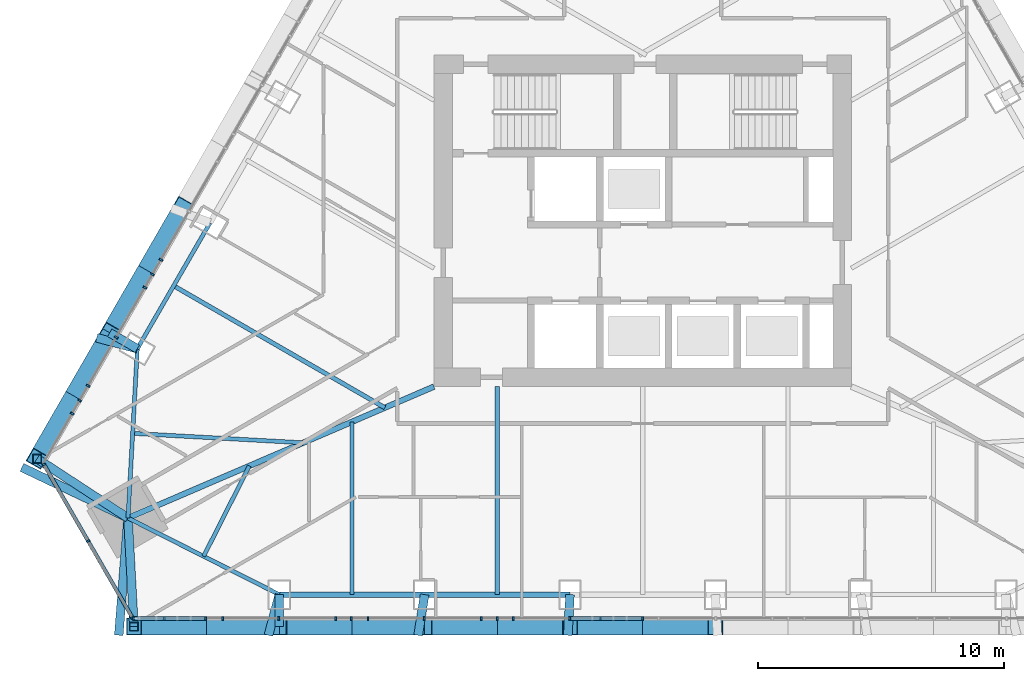
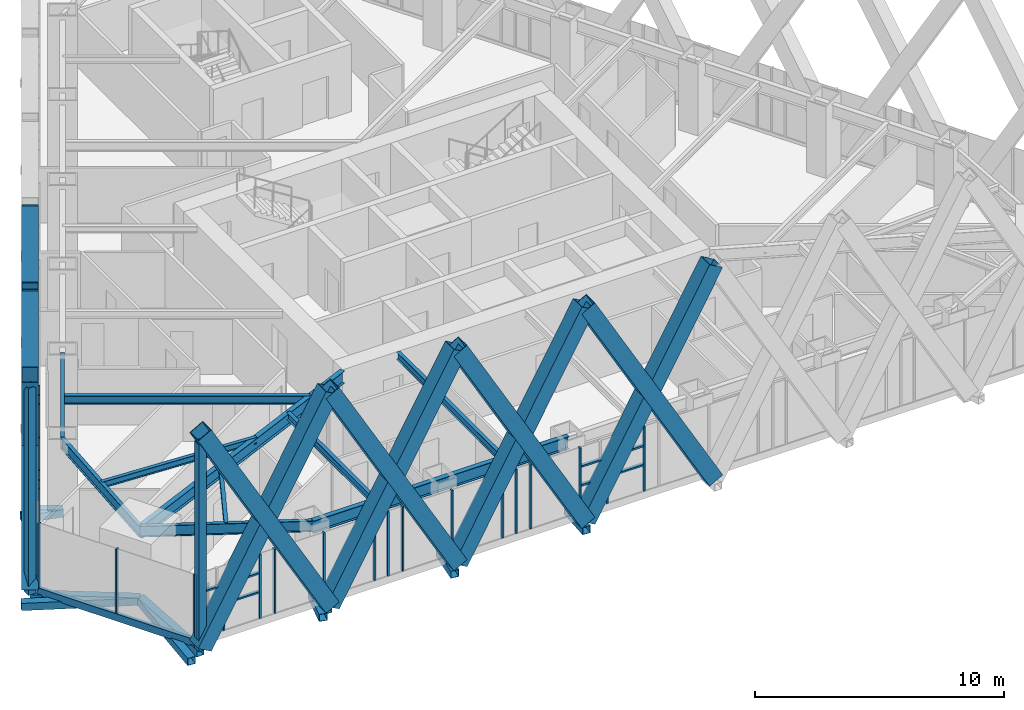
# One storey, part 2 of 23: 54 members, 10 beams, 3 elements without a shape of their own.
"""IFC4 building model written with IfcOpenShell, lengths in metres."""

from ifc_helpers import new_model, si_unit, direction, frame, origin, origin_2d, place, context, subcontext, project, spatial, rectangle, hollow_rectangle, i_section, extrude, material, layer, layer_set, material_profile, profile_set, type_object, element, aggregate, save


model = new_model("IFC4")

# Units and contexts
model_context = context("Model", 3, precision=1e-05, world=origin(), true_north=direction((0.0, 1.0)))
body_context = subcontext(model_context, "Body", "Model", "MODEL_VIEW")
ifc_project = project(units=[si_unit("LENGTHUNIT", "METRE"), si_unit("AREAUNIT", "SQUARE_METRE"), si_unit("VOLUMEUNIT", "CUBIC_METRE"), si_unit("PLANEANGLEUNIT", "RADIAN"), si_unit("MASSUNIT", "GRAM", prefix="KILO")], contexts=[model_context])

# Site, building, storey
site_placement = place(None, origin())
site = spatial("IfcSite", under=ifc_project, at=site_placement, CompositionType="ELEMENT")
building_placement = place(site_placement, origin())
building = spatial("IfcBuilding", under=site, at=building_placement, Name="Firuza Gate Tower and Library", CompositionType="ELEMENT")
storey_placement = place(building_placement, frame((0.0, 0.0, 312.60009765625)))
storey = spatial("IfcBuildingStorey", under=building, at=storey_placement, Name="L76", CompositionType="ELEMENT", Elevation=312.60009765625)

# Members
ifc_material_1 = material(Name="Steel S355", Category="steel")
ifc_material_profile_1 = material_profile(ifc_material_1, hollow_rectangle(XDim=0.699951171875, YDim=0.699951171875, WallThickness=0.030029296875, at=origin_2d()))
ifc_profile_set_1 = profile_set([ifc_material_profile_1], Name="Steel S355")
member_type_1 = type_object("IfcMemberType", Name="BU700x700x30 Lattice brace", PredefinedType="BRACE", material=ifc_profile_set_1)
for number, where, z_axis, x_axis, name in (
    (1, (54.280029296875, 58.48046875, 0.0), (0.491122612788, 0.0, 0.871090454091), (0.0, 1.0, 0.0), "Lattice brace S 20.1R"),
    (2, (60.199951171875, 58.48046875, 0.0), (-0.491122612788, 0.0, 0.871090454091), (0.0, -1.0, 0.0), "Lattice brace S 20.1L"),
    (3, (60.199951171875, 58.48046875, 0.0), (0.491137981379, 0.0, 0.871081789069), (0.0, 1.0, 0.0), "Lattice brace S 20.2R"),
    (4, (66.1201171875, 58.48046875, 0.0), (-0.491137981379, 0.0, 0.871081789069), (0.0, -1.0, 0.0), "Lattice brace S 20.2L"),
    (5, (66.1201171875, 58.48046875, 0.0), (0.491122612788, 0.0, 0.871090454091), (0.0, 1.0, 0.0), "Lattice brace S 20.3R"),
    (6, (72.0400390625, 58.48046875, 0.0), (-0.491122612788, 0.0, 0.871090454091), (0.0, -1.0, 0.0), "Lattice brace S 20.3L"),
    (7, (72.0400390625, 58.48046875, 0.0), (0.491122612788, 0.0, 0.871090454091), (0.0, 1.0, 0.0), "Lattice brace S 20.4R"),
    (8, (77.9599609375, 58.48046875, 0.0), (-0.491122612788, 0.0, 0.871090454091), (0.0, -1.0, 0.0), "Lattice brace S 20.4L"),
    (9, (56.253662109375, 75.569580078125, 0.0), (-0.245560003274, -0.42533487865, 0.871085831475), (0.866031754707, -0.499988999718, 0.0), "Lattice brace W 20.6R"),
    (10, (53.293701171875, 70.442626953125, 0.0), (0.245560003274, 0.42533487865, 0.871085831475), (-0.866031754707, 0.499988999718, 0.0), "Lattice brace W 20.6L"),
    (11, (53.293701171875, 70.442626953125, 0.0), (-0.245579035861, -0.42533276314, 0.871081498911), (0.866013897511, -0.50001992892, 0.0), "Lattice brace W 20.7R"),
    (12, (50.33349609375, 65.315673828125, 0.0), (0.245579035861, 0.42533276314, 0.871081498911), (-0.866013897511, 0.50001992892, 0.0), "Lattice brace W 20.7L"),
):
    element("IfcMember", number, at=place(storey_placement, frame(where, z_axis=z_axis, x_axis=x_axis)), inside=storey, type_object=member_type_1, Name=name, PredefinedType="BRACE", context=body_context, shape_type="SweptSolid", body=[
        extrude(hollow_rectangle(XDim=0.699951171875, YDim=0.699951171875, WallThickness=0.030029296875, at=origin_2d()), origin(), (0.0, 0.0, 1.0), 12.053955078125),
    ])

# Curtain wall, members
ifc_material_2 = material(Name="Aluminium 6063-T6", Category="aluminium")
ifc_layer_1 = layer(ifc_material_2, 0.14990234375)
ifc_layer_set_1 = layer_set([ifc_layer_1], Name="Unitised curtain wall, residences")
curtain_wall_type_1 = type_object("IfcCurtainWallType", Name="Unitised curtain wall, residences", PredefinedType="NOTDEFINED", material=ifc_layer_set_1)
placement = place(storey_placement, origin())
curtain_wall_1 = element("IfcCurtainWall", 13, at=placement, inside=storey, type_object=curtain_wall_type_1, Name="CW3 L76 S face", PredefinedType="NOTDEFINED")
ifc_material_3 = material(Name="Aluminium 6063-T6", Category="aluminium")
ifc_material_profile_2 = material_profile(ifc_material_3, rectangle(XDim=0.14990234375, YDim=0.080078125, at=origin_2d()))
ifc_profile_set_2 = profile_set([ifc_material_profile_2], Name="Aluminium 6063-T6")
member_type_2 = type_object("IfcMemberType", Name="Curtain wall mullion 80x150", PredefinedType="MULLION", material=ifc_profile_set_2)
member_1_placement = place(storey_placement, frame((54.276611328125, 58.805419921875, 0.14990234375), z_axis=(0.0, 0.0, 1.0), x_axis=(0.0, 1.0, 0.0)))
member_1 = element("IfcMember", 14, at=member_1_placement, type_object=member_type_2, Name="Mullion", PredefinedType="MULLION", context=body_context, shape_type="SweptSolid", body=[
    extrude(rectangle(XDim=0.14990234375, YDim=0.080078125, at=origin_2d()), origin(), (0.0, 0.0, 1.0), 3.14990234375),
])
member_2_placement = place(storey_placement, frame((57.202880859375, 58.805419921875, 0.14990234375), z_axis=(0.0, 0.0, 1.0), x_axis=(0.0, 1.0, 0.0)))
member_2 = element("IfcMember", 15, at=member_2_placement, type_object=member_type_2, Name="Mullion", PredefinedType="MULLION", context=body_context, shape_type="SweptSolid", body=[
    extrude(rectangle(XDim=0.14990234375, YDim=0.080078125, at=origin_2d()), origin(), (0.0, 0.0, 1.0), 3.14990234375),
])
member_3_placement = place(storey_placement, frame((60.169189453125, 58.805419921875, 0.14990234375), z_axis=(0.0, 0.0, 1.0), x_axis=(0.0, 1.0, 0.0)))
member_3 = element("IfcMember", 16, at=member_3_placement, type_object=member_type_2, Name="Mullion", PredefinedType="MULLION", context=body_context, shape_type="SweptSolid", body=[
    extrude(rectangle(XDim=0.14990234375, YDim=0.080078125, at=origin_2d()), origin(), (0.0, 0.0, 1.0), 3.14990234375),
])
member_4_placement = place(storey_placement, frame((63.13525390625, 58.805419921875, 0.14990234375), z_axis=(0.0, 0.0, 1.0), x_axis=(0.0, 1.0, 0.0)))
member_4 = element("IfcMember", 17, at=member_4_placement, type_object=member_type_2, Name="Mullion", PredefinedType="MULLION", context=body_context, shape_type="SweptSolid", body=[
    extrude(rectangle(XDim=0.14990234375, YDim=0.080078125, at=origin_2d()), origin(), (0.0, 0.0, 1.0), 3.14990234375),
])
member_5_placement = place(storey_placement, frame((66.1015625, 58.805419921875, 0.14990234375), z_axis=(0.0, 0.0, 1.0), x_axis=(0.0, 1.0, 0.0)))
member_5 = element("IfcMember", 18, at=member_5_placement, type_object=member_type_2, Name="Mullion", PredefinedType="MULLION", context=body_context, shape_type="SweptSolid", body=[
    extrude(rectangle(XDim=0.14990234375, YDim=0.080078125, at=origin_2d()), origin(), (0.0, 0.0, 1.0), 3.14990234375),
])
member_6_placement = place(storey_placement, frame((69.067626953125, 58.805419921875, 0.14990234375), z_axis=(0.0, 0.0, 1.0), x_axis=(0.0, 1.0, 0.0)))
member_6 = element("IfcMember", 19, at=member_6_placement, type_object=member_type_2, Name="Mullion", PredefinedType="MULLION", context=body_context, shape_type="SweptSolid", body=[
    extrude(rectangle(XDim=0.14990234375, YDim=0.080078125, at=origin_2d()), origin(), (0.0, 0.0, 1.0), 3.14990234375),
])
member_7_placement = place(storey_placement, frame((72.033935546875, 58.805419921875, 0.14990234375), z_axis=(0.0, 0.0, 1.0), x_axis=(0.0, 1.0, 0.0)))
member_7 = element("IfcMember", 20, at=member_7_placement, type_object=member_type_2, Name="Mullion", PredefinedType="MULLION", context=body_context, shape_type="SweptSolid", body=[
    extrude(rectangle(XDim=0.14990234375, YDim=0.080078125, at=origin_2d()), origin(), (0.0, 0.0, 1.0), 3.14990234375),
])
member_8_placement = place(storey_placement, frame((75.0, 58.805419921875, 0.14990234375), z_axis=(0.0, 0.0, 1.0), x_axis=(0.0, 1.0, 0.0)))
member_8 = element("IfcMember", 21, at=member_8_placement, type_object=member_type_2, Name="Mullion", PredefinedType="MULLION", context=body_context, shape_type="SweptSolid", body=[
    extrude(rectangle(XDim=0.14990234375, YDim=0.080078125, at=origin_2d()), origin(), (0.0, 0.0, 1.0), 3.14990234375),
])
member_9_placement = place(storey_placement, frame((55.521728515625, 58.805419921875, 0.14990234375), z_axis=(0.0, 0.0, 1.0), x_axis=(0.0, 1.0, 0.0)))
member_9 = element("IfcMember", 22, at=member_9_placement, type_object=member_type_2, Name="Mullion", PredefinedType="MULLION", context=body_context, shape_type="SweptSolid", body=[
    extrude(rectangle(XDim=0.14990234375, YDim=0.080078125, at=origin_2d()), origin(), (0.0, 0.0, 1.0), 1.260009765625),
])
member_10_placement = place(storey_placement, frame((57.892578125, 58.805419921875, 0.14990234375), z_axis=(0.0, 0.0, 1.0), x_axis=(0.0, 1.0, 0.0)))
member_10 = element("IfcMember", 23, at=member_10_placement, type_object=member_type_2, Name="Mullion", PredefinedType="MULLION", context=body_context, shape_type="SweptSolid", body=[
    extrude(rectangle(XDim=0.14990234375, YDim=0.080078125, at=origin_2d()), origin(), (0.0, 0.0, 1.0), 3.14990234375),
])
member_11_placement = place(storey_placement, frame((62.50732421875, 58.805419921875, 0.14990234375), z_axis=(0.0, 0.0, 1.0), x_axis=(0.0, 1.0, 0.0)))
member_11 = element("IfcMember", 24, at=member_11_placement, type_object=member_type_2, Name="Mullion", PredefinedType="MULLION", context=body_context, shape_type="SweptSolid", body=[
    extrude(rectangle(XDim=0.14990234375, YDim=0.080078125, at=origin_2d()), origin(), (0.0, 0.0, 1.0), 3.14990234375),
])
member_12_placement = place(storey_placement, frame((63.812744140625, 58.805419921875, 0.14990234375), z_axis=(0.0, 0.0, 1.0), x_axis=(0.0, 1.0, 0.0)))
member_12 = element("IfcMember", 25, at=member_12_placement, type_object=member_type_2, Name="Mullion", PredefinedType="MULLION", context=body_context, shape_type="SweptSolid", body=[
    extrude(rectangle(XDim=0.14990234375, YDim=0.080078125, at=origin_2d()), origin(), (0.0, 0.0, 1.0), 3.14990234375),
])
member_13_placement = place(storey_placement, frame((68.42724609375, 58.805419921875, 0.14990234375), z_axis=(0.0, 0.0, 1.0), x_axis=(0.0, 1.0, 0.0)))
member_13 = element("IfcMember", 26, at=member_13_placement, type_object=member_type_2, Name="Mullion", PredefinedType="MULLION", context=body_context, shape_type="SweptSolid", body=[
    extrude(rectangle(XDim=0.14990234375, YDim=0.080078125, at=origin_2d()), origin(), (0.0, 0.0, 1.0), 3.14990234375),
])
member_14_placement = place(storey_placement, frame((69.732666015625, 58.805419921875, 0.14990234375), z_axis=(0.0, 0.0, 1.0), x_axis=(0.0, 1.0, 0.0)))
member_14 = element("IfcMember", 27, at=member_14_placement, type_object=member_type_2, Name="Mullion", PredefinedType="MULLION", context=body_context, shape_type="SweptSolid", body=[
    extrude(rectangle(XDim=0.14990234375, YDim=0.080078125, at=origin_2d()), origin(), (0.0, 0.0, 1.0), 3.14990234375),
])
member_15_placement = place(storey_placement, frame((73.28173828125, 58.805419921875, 0.14990234375), z_axis=(0.0, 0.0, 1.0), x_axis=(0.0, 1.0, 0.0)))
member_15 = element("IfcMember", 28, at=member_15_placement, type_object=member_type_2, Name="Mullion", PredefinedType="MULLION", context=body_context, shape_type="SweptSolid", body=[
    extrude(rectangle(XDim=0.14990234375, YDim=0.080078125, at=origin_2d()), origin(), (0.0, 0.0, 1.0), 1.260009765625),
])

curtain_wall_2 = element("IfcCurtainWall", 29, at=placement, inside=storey, type_object=curtain_wall_type_1, Name="CW3 L76 W face", PredefinedType="NOTDEFINED")
member_16_placement = place(storey_placement, frame((55.042724609375, 72.822021484375, 0.14990234375), z_axis=(0.0, 0.0, 1.0), x_axis=(0.866025403784, -0.5, 0.0)))
member_16 = element("IfcMember", 30, at=member_16_placement, type_object=member_type_2, Name="Mullion", PredefinedType="MULLION", context=body_context, shape_type="SweptSolid", body=[
    extrude(rectangle(XDim=0.14990234375, YDim=0.080078125, at=origin_2d()), origin(), (0.0, 0.0, 1.0), 3.14990234375),
])
member_17_placement = place(storey_placement, frame((53.5595703125, 70.25341796875, 0.14990234375), z_axis=(0.0, 0.0, 1.0), x_axis=(0.866025403784, -0.5, 0.0)))
member_17 = element("IfcMember", 31, at=member_17_placement, type_object=member_type_2, Name="Mullion", PredefinedType="MULLION", context=body_context, shape_type="SweptSolid", body=[
    extrude(rectangle(XDim=0.14990234375, YDim=0.080078125, at=origin_2d()), origin(), (0.0, 0.0, 1.0), 3.14990234375),
])
member_18_placement = place(storey_placement, frame((52.076416015625, 67.6845703125, 0.14990234375), z_axis=(0.0, 0.0, 1.0), x_axis=(0.866025403784, -0.5, 0.0)))
member_18 = element("IfcMember", 32, at=member_18_placement, type_object=member_type_2, Name="Mullion", PredefinedType="MULLION", context=body_context, shape_type="SweptSolid", body=[
    extrude(rectangle(XDim=0.14990234375, YDim=0.080078125, at=origin_2d()), origin(), (0.0, 0.0, 1.0), 3.14990234375),
])
member_19_placement = place(storey_placement, frame((55.38134765625, 73.40869140625, 0.14990234375), z_axis=(0.0, 0.0, 1.0), x_axis=(0.866025403784, -0.5, 0.0)))
member_19 = element("IfcMember", 33, at=member_19_placement, type_object=member_type_2, Name="Mullion", PredefinedType="MULLION", context=body_context, shape_type="SweptSolid", body=[
    extrude(rectangle(XDim=0.14990234375, YDim=0.080078125, at=origin_2d()), origin(), (0.0, 0.0, 1.0), 3.14990234375),
])
member_20_placement = place(storey_placement, frame((54.728759765625, 72.2783203125, 0.14990234375), z_axis=(0.0, 0.0, 1.0), x_axis=(0.866025403784, -0.5, 0.0)))
member_20 = element("IfcMember", 34, at=member_20_placement, type_object=member_type_2, Name="Mullion", PredefinedType="MULLION", context=body_context, shape_type="SweptSolid", body=[
    extrude(rectangle(XDim=0.14990234375, YDim=0.080078125, at=origin_2d()), origin(), (0.0, 0.0, 1.0), 3.14990234375),
])
member_21_placement = place(storey_placement, frame((52.42138671875, 68.281982421875, 0.14990234375), z_axis=(0.0, 0.0, 1.0), x_axis=(0.866025403784, -0.5, 0.0)))
member_21 = element("IfcMember", 35, at=member_21_placement, type_object=member_type_2, Name="Mullion", PredefinedType="MULLION", context=body_context, shape_type="SweptSolid", body=[
    extrude(rectangle(XDim=0.14990234375, YDim=0.080078125, at=origin_2d()), origin(), (0.0, 0.0, 1.0), 3.14990234375),
])
member_22_placement = place(storey_placement, frame((51.768798828125, 67.151611328125, 0.14990234375), z_axis=(0.0, 0.0, 1.0), x_axis=(0.866025403784, -0.5, 0.0)))
member_22 = element("IfcMember", 36, at=member_22_placement, type_object=member_type_2, Name="Mullion", PredefinedType="MULLION", context=body_context, shape_type="SweptSolid", body=[
    extrude(rectangle(XDim=0.14990234375, YDim=0.080078125, at=origin_2d()), origin(), (0.0, 0.0, 1.0), 3.14990234375),
])
aggregate(curtain_wall_2, [member_16, member_17, member_18, member_19, member_20, member_21, member_22])

ifc_material_4 = material(Name="Aluminium 6063-T6", Category="aluminium")
ifc_layer_2 = layer(ifc_material_4, 0.14990234375)
ifc_layer_set_2 = layer_set([ifc_layer_2], Name="Corner curtain wall, chamfers")
curtain_wall_type_2 = type_object("IfcCurtainWallType", Name="Corner curtain wall, chamfers", PredefinedType="NOTDEFINED", material=ifc_layer_set_2)
curtain_wall_3 = element("IfcCurtainWall", 37, at=placement, inside=storey, type_object=curtain_wall_type_2, Name="CW4 L76 SW corner", PredefinedType="NOTDEFINED")
member_23_placement = place(storey_placement, frame((50.61328125, 65.0810546875, 0.14990234375), z_axis=(0.0, 0.0, 1.0), x_axis=(0.866025403784, 0.5, 0.0)))
member_23 = element("IfcMember", 38, at=member_23_placement, type_object=member_type_2, Name="Mullion", PredefinedType="MULLION", context=body_context, shape_type="SweptSolid", body=[
    extrude(rectangle(XDim=0.14990234375, YDim=0.080078125, at=origin_2d()), origin(), (0.0, 0.0, 1.0), 3.14990234375),
])
member_24_placement = place(storey_placement, frame((52.4150390625, 61.960693359375, 0.14990234375), z_axis=(0.0, 0.0, 1.0), x_axis=(0.866025403784, 0.5, 0.0)))
member_24 = element("IfcMember", 39, at=member_24_placement, type_object=member_type_2, Name="Mullion", PredefinedType="MULLION", context=body_context, shape_type="SweptSolid", body=[
    extrude(rectangle(XDim=0.14990234375, YDim=0.080078125, at=origin_2d()), origin(), (0.0, 0.0, 1.0), 3.14990234375),
])
member_25_placement = place(storey_placement, frame((54.216796875, 58.840087890625, 0.14990234375), z_axis=(0.0, 0.0, 1.0), x_axis=(0.866025403784, 0.5, 0.0)))
member_25 = element("IfcMember", 40, at=member_25_placement, type_object=member_type_2, Name="Mullion", PredefinedType="MULLION", context=body_context, shape_type="SweptSolid", body=[
    extrude(rectangle(XDim=0.14990234375, YDim=0.080078125, at=origin_2d()), origin(), (0.0, 0.0, 1.0), 3.14990234375),
])
ifc_material_5 = material(Name="Aluminium 6063-T6", Category="aluminium")
ifc_material_profile_3 = material_profile(ifc_material_5, rectangle(XDim=0.14990234375, YDim=0.35009765625, at=origin_2d()))
ifc_profile_set_3 = profile_set([ifc_material_profile_3], Name="Aluminium 6063-T6")
member_type_3 = type_object("IfcMemberType", Name="Curtain wall transom 350x150", PredefinedType="USERDEFINED", material=ifc_profile_set_3)
member_26_placement = place(storey_placement, frame((50.593505859375, 65.11572265625, -0.025146484375), z_axis=(0.500005719219, -0.866022101766, 0.0), x_axis=(0.866022101766, 0.500005719219, 0.0)))
member_26 = element("IfcMember", 41, at=member_26_placement, type_object=member_type_3, Name="Transom", ObjectType="TRANSOM", PredefinedType="USERDEFINED", context=body_context, shape_type="SweptSolid", body=[
    extrude(rectangle(XDim=0.14990234375, YDim=0.35009765625, at=origin_2d()), origin(), (0.0, 0.0, 1.0), 7.28662109375),
])
aggregate(curtain_wall_3, [member_23, member_24, member_25, member_26])

# Member
ifc_material_6 = material(Name="Aluminium 6063-T6", Category="aluminium")
ifc_material_profile_4 = material_profile(ifc_material_6, rectangle(XDim=0.14990234375, YDim=0.080078125, at=origin_2d()))
ifc_profile_set_4 = profile_set([ifc_material_profile_4], Name="Aluminium 6063-T6")
member_type_4 = type_object("IfcMemberType", Name="Curtain wall transom 80x150", PredefinedType="USERDEFINED", material=ifc_profile_set_4)
member_27_placement = place(storey_placement, frame((54.276611328125, 58.805419921875, 1.449951171875), z_axis=(1.0, 0.0, 0.0), x_axis=(0.0, 1.0, 0.0)))
member_27 = element("IfcMember", 42, at=member_27_placement, type_object=member_type_4, Name="Transom", ObjectType="TRANSOM", PredefinedType="USERDEFINED", context=body_context, shape_type="SweptSolid", body=[
    extrude(rectangle(XDim=0.14990234375, YDim=0.080078125, at=origin_2d()), origin(), (0.0, 0.0, 1.0), 2.88623046875),
])

member_28_placement = place(storey_placement, frame((54.276611328125, 58.805419921875, 2.375), z_axis=(1.0, 0.0, 0.0), x_axis=(0.0, 1.0, 0.0)))
member_28 = element("IfcMember", 43, at=member_28_placement, type_object=member_type_4, Name="Transom", ObjectType="TRANSOM", PredefinedType="USERDEFINED", context=body_context, shape_type="SweptSolid", body=[
    extrude(rectangle(XDim=0.14990234375, YDim=0.080078125, at=origin_2d()), origin(), (0.0, 0.0, 1.0), 2.88623046875),
])

member_29_placement = place(storey_placement, frame((72.07373046875, 58.805419921875, 1.449951171875), z_axis=(1.0, 0.0, 0.0), x_axis=(0.0, 1.0, 0.0)))
member_29 = element("IfcMember", 44, at=member_29_placement, type_object=member_type_4, Name="Transom", ObjectType="TRANSOM", PredefinedType="USERDEFINED", context=body_context, shape_type="SweptSolid", body=[
    extrude(rectangle(XDim=0.14990234375, YDim=0.080078125, at=origin_2d()), origin(), (0.0, 0.0, 1.0), 2.88623046875),
])

member_30_placement = place(storey_placement, frame((72.07373046875, 58.805419921875, 2.375), z_axis=(1.0, 0.0, 0.0), x_axis=(0.0, 1.0, 0.0)))
member_30 = element("IfcMember", 45, at=member_30_placement, type_object=member_type_4, Name="Transom", ObjectType="TRANSOM", PredefinedType="USERDEFINED", context=body_context, shape_type="SweptSolid", body=[
    extrude(rectangle(XDim=0.14990234375, YDim=0.080078125, at=origin_2d()), origin(), (0.0, 0.0, 1.0), 2.88623046875),
])

aggregate(curtain_wall_1, [member_1, member_2, member_3, member_4, member_5, member_6, member_7, member_8, member_9, member_27, member_28, member_10, member_11, member_12, member_13, member_14, member_15, member_29, member_30])

# Members
ifc_material_7 = material(Name="Steel S355", Category="steel")
ifc_material_profile_5 = material_profile(ifc_material_7, hollow_rectangle(XDim=0.355712890625, YDim=0.355712890625, WallThickness=0.014892578125, at=origin_2d()))
ifc_profile_set_5 = profile_set([ifc_material_profile_5], Name="Steel S355")
member_type_5 = type_object("IfcMemberType", Name="HSS356x356x16 Lattice corner stile", PredefinedType="BRACE", material=ifc_profile_set_5)
for number, where, z_axis, x_axis, name in (
    (46, (54.280029296875, 58.48046875, -0.14013671875), (0.0, 0.0, 1.0), (1.0, 0.0, 0.0), "Lattice corner stile S 20.A"),
    (47, (50.33349609375, 65.315673828125, -0.14013671875), (0.0, 0.0, 1.0), (1.0, 0.0, 0.0), "Lattice corner stile W 20.B"),
):
    element("IfcMember", number, at=place(storey_placement, frame(where, z_axis=z_axis, x_axis=x_axis)), inside=storey, type_object=member_type_5, Name=name, PredefinedType="BRACE", context=body_context, shape_type="SweptSolid", body=[
        extrude(hollow_rectangle(XDim=0.355712890625, YDim=0.355712890625, WallThickness=0.014892578125, at=origin_2d()), origin(), (0.0, 0.0, 1.0), 10.14013671875),
    ])
ifc_material_8 = material(Name="Steel S355", Category="steel")
ifc_material_profile_6 = material_profile(ifc_material_8, hollow_rectangle(XDim=0.355712890625, YDim=0.355712890625, WallThickness=0.014892578125, at=origin_2d()))
ifc_profile_set_6 = profile_set([ifc_material_profile_6], Name="Steel S355")
member_type_6 = type_object("IfcMemberType", Name="HSS356x356x16 Lattice node tie", PredefinedType="BRACE", material=ifc_profile_set_6)
member_31_placement = place(storey_placement, frame((54.038818359375, 62.898193359375, -0.320068359375), z_axis=(-0.078267757464, -0.996932373906, 0.0), x_axis=(0.996932373906, -0.078267757464, 0.0)))
element("IfcMember", 48, at=member_31_placement, inside=storey, type_object=member_type_6, Name="Lattice node tie S L76 541", PredefinedType="BRACE", context=body_context, shape_type="SweptSolid", body=[
    extrude(hollow_rectangle(XDim=0.355712890625, YDim=0.355712890625, WallThickness=0.014892578125, at=origin_2d()), origin(), (0.0, 0.0, 1.0), 4.7880859375),
])
member_32_placement = place(storey_placement, frame((54.038818359375, 62.898193359375, -0.320068359375), z_axis=(0.054519511079, -0.998512705433, 0.0), x_axis=(0.998512705433, 0.054519511079, 0.0)))
element("IfcMember", 49, at=member_32_placement, inside=storey, type_object=member_type_6, Name="Lattice node tie S L76 542", PredefinedType="BRACE", context=body_context, shape_type="SweptSolid", body=[
    extrude(hollow_rectangle(XDim=0.355712890625, YDim=0.355712890625, WallThickness=0.014892578125, at=origin_2d()), origin(), (0.0, 0.0, 1.0), 4.42431640625),
])
member_33_placement = place(storey_placement, frame((60.199951171875, 59.7802734375, -0.320068359375), z_axis=(-0.25682869904, -0.966456941281, 0.0), x_axis=(0.966456941281, -0.25682869904, 0.0)))
element("IfcMember", 50, at=member_33_placement, inside=storey, type_object=member_type_6, Name="Lattice node tie S L76 543", PredefinedType="BRACE", context=body_context, shape_type="SweptSolid", body=[
    extrude(hollow_rectangle(XDim=0.355712890625, YDim=0.355712890625, WallThickness=0.014892578125, at=origin_2d()), origin(), (0.0, 0.0, 1.0), 1.712890625),
])
member_34_placement = place(storey_placement, frame((60.199951171875, 59.7802734375, -0.320068359375), z_axis=(0.0, -1.0, 0.0), x_axis=(1.0, 0.0, 0.0)))
element("IfcMember", 51, at=member_34_placement, inside=storey, type_object=member_type_6, Name="Lattice node tie S L76 544", PredefinedType="BRACE", context=body_context, shape_type="SweptSolid", body=[
    extrude(hollow_rectangle(XDim=0.355712890625, YDim=0.355712890625, WallThickness=0.014892578125, at=origin_2d()), origin(), (0.0, 0.0, 1.0), 1.2998046875),
])
member_35_placement = place(storey_placement, frame((66.1201171875, 59.7802734375, -0.320068359375), z_axis=(-0.157570185735, -0.987507790636, 0.0), x_axis=(0.987507790636, -0.157570185735, 0.0)))
element("IfcMember", 52, at=member_35_placement, inside=storey, type_object=member_type_6, Name="Lattice node tie S L76 545", PredefinedType="BRACE", context=body_context, shape_type="SweptSolid", body=[
    extrude(hollow_rectangle(XDim=0.355712890625, YDim=0.355712890625, WallThickness=0.014892578125, at=origin_2d()), origin(), (0.0, 0.0, 1.0), 1.676513671875),
])
member_36_placement = place(storey_placement, frame((72.0400390625, 59.7802734375, -0.320068359375), z_axis=(-0.053161704168, -0.998585916789, 0.0), x_axis=(0.998585916789, -0.053161704168, 0.0)))
element("IfcMember", 53, at=member_36_placement, inside=storey, type_object=member_type_6, Name="Lattice node tie S L76 546", PredefinedType="BRACE", context=body_context, shape_type="SweptSolid", body=[
    extrude(hollow_rectangle(XDim=0.355712890625, YDim=0.355712890625, WallThickness=0.014892578125, at=origin_2d()), origin(), (0.0, 0.0, 1.0), 1.657958984375),
])
member_37_placement = place(storey_placement, frame((54.038818359375, 62.898193359375, -0.320068359375), z_axis=(-0.902515271089, 0.430657851956, 0.0), x_axis=(-0.430657851956, -0.902515271089, 0.0)))
element("IfcMember", 54, at=member_37_placement, inside=storey, type_object=member_type_6, Name="Lattice node tie W L76 553", PredefinedType="BRACE", context=body_context, shape_type="SweptSolid", body=[
    extrude(hollow_rectangle(XDim=0.355712890625, YDim=0.355712890625, WallThickness=0.014892578125, at=origin_2d()), origin(), (0.0, 0.0, 1.0), 4.7880859375),
])
member_38_placement = place(storey_placement, frame((54.038818359375, 62.898193359375, -0.320068359375), z_axis=(-0.837510682777, 0.546420951496, 0.0), x_axis=(-0.546420951496, -0.837510682777, 0.0)))
element("IfcMember", 55, at=member_38_placement, inside=storey, type_object=member_type_6, Name="Lattice node tie W L76 554", PredefinedType="BRACE", context=body_context, shape_type="SweptSolid", body=[
    extrude(hollow_rectangle(XDim=0.355712890625, YDim=0.355712890625, WallThickness=0.014892578125, at=origin_2d()), origin(), (0.0, 0.0, 1.0), 4.42431640625),
])
member_39_placement = place(storey_placement, frame((54.41943359375, 69.792724609375, -0.320068359375), z_axis=(-0.965392491391, 0.260801337355, 0.0), x_axis=(-0.260801337355, -0.965392491391, 0.0)))
element("IfcMember", 56, at=member_39_placement, inside=storey, type_object=member_type_6, Name="Lattice node tie W L76 555", PredefinedType="BRACE", context=body_context, shape_type="SweptSolid", body=[
    extrude(hollow_rectangle(XDim=0.355712890625, YDim=0.355712890625, WallThickness=0.014892578125, at=origin_2d()), origin(), (0.0, 0.0, 1.0), 1.713134765625),
])
member_40_placement = place(storey_placement, frame((54.41943359375, 69.792724609375, -0.320068359375), z_axis=(-0.86603858612, 0.49997716683, 0.0), x_axis=(-0.49997716683, -0.86603858612, 0.0)))
element("IfcMember", 57, at=member_40_placement, inside=storey, type_object=member_type_6, Name="Lattice node tie W L76 556", PredefinedType="BRACE", context=body_context, shape_type="SweptSolid", body=[
    extrude(hollow_rectangle(XDim=0.355712890625, YDim=0.355712890625, WallThickness=0.014892578125, at=origin_2d()), origin(), (0.0, 0.0, 1.0), 1.2998046875),
])

# Beams
ifc_material_9 = material(Name="Steel S355", Category="steel")
ifc_material_profile_7 = material_profile(ifc_material_9, i_section(OverallWidth=0.1650390625, OverallDepth=0.31005859375, WebThickness=0.005859375, FlangeThickness=0.009765625, at=origin_2d()))
ifc_profile_set_7 = profile_set([ifc_material_profile_7], Name="Steel S355")
beam_type_1 = type_object("IfcBeamType", Name="W310x39 Floor beam", PredefinedType="JOIST", material=ifc_profile_set_7)
beam_1_placement = place(storey_placement, frame((54.229248046875, 66.345458984375, 3.14501953125), z_axis=(0.998479843112, -0.055118081421, 0.0), x_axis=(0.055118081421, 0.998479843112, 0.0)))
element("IfcBeam", 58, at=beam_1_placement, inside=storey, type_object=beam_type_1, Name="Floor beam L76 s00", PredefinedType="JOIST", context=body_context, shape_type="SweptSolid", body=[
    extrude(i_section(OverallWidth=0.1650390625, OverallDepth=0.31005859375, WebThickness=0.005859375, FlangeThickness=0.009765625, at=origin_2d()), origin(), (0.0, 0.0, 1.0), 6.9541015625),
])
beam_2_placement = place(storey_placement, frame((57.119384765625, 61.339111328125, 3.14501953125), z_axis=(0.451491484808, 0.892275427851, 0.0), x_axis=(-0.892275427851, 0.451491484808, 0.0)))
element("IfcBeam", 59, at=beam_2_placement, inside=storey, type_object=beam_type_1, Name="Floor beam L76 s10", PredefinedType="JOIST", context=body_context, shape_type="SweptSolid", body=[
    extrude(i_section(OverallWidth=0.1650390625, OverallDepth=0.31005859375, WebThickness=0.005859375, FlangeThickness=0.009765625, at=origin_2d()), origin(), (0.0, 0.0, 1.0), 4.126953125),
])
ifc_material_10 = material(Name="Steel S355", Category="steel")
ifc_material_profile_8 = material_profile(ifc_material_10, i_section(OverallWidth=0.1708984375, OverallDepth=0.35498046875, WebThickness=0.007080078125, FlangeThickness=0.01171875, at=origin_2d()))
ifc_profile_set_8 = profile_set([ifc_material_profile_8], Name="Steel S355")
beam_type_2 = type_object("IfcBeamType", Name="W360x51 Floor beam", PredefinedType="JOIST", material=ifc_profile_set_8)
beam_3_placement = place(storey_placement, frame((63.159912109375, 59.7802734375, 3.122314453125), z_axis=(0.0, 1.0, 0.0), x_axis=(-1.0, 0.0, 0.0)))
element("IfcBeam", 60, at=beam_3_placement, inside=storey, type_object=beam_type_2, Name="Floor beam L76 s20", PredefinedType="JOIST", context=body_context, shape_type="SweptSolid", body=[
    extrude(i_section(OverallWidth=0.1708984375, OverallDepth=0.35498046875, WebThickness=0.007080078125, FlangeThickness=0.01171875, at=origin_2d()), origin(), (0.0, 0.0, 1.0), 7.03515625),
])
beam_4_placement = place(storey_placement, frame((69.080078125, 59.7802734375, 3.122314453125), z_axis=(0.0, 1.0, 0.0), x_axis=(-1.0, 0.0, 0.0)))
element("IfcBeam", 61, at=beam_4_placement, inside=storey, type_object=beam_type_2, Name="Floor beam L76 s21", PredefinedType="JOIST", context=body_context, shape_type="SweptSolid", body=[
    extrude(i_section(OverallWidth=0.1708984375, OverallDepth=0.35498046875, WebThickness=0.007080078125, FlangeThickness=0.01171875, at=origin_2d()), origin(), (0.0, 0.0, 1.0), 8.4697265625),
])
ifc_material_11 = material(Name="Steel S355", Category="steel")
ifc_material_profile_9 = material_profile(ifc_material_11, i_section(OverallWidth=0.177978515625, OverallDepth=0.406982421875, WebThickness=0.0078125, FlangeThickness=0.0126953125, at=origin_2d()))
ifc_profile_set_9 = profile_set([ifc_material_profile_9], Name="Steel S355")
beam_type_3 = type_object("IfcBeamType", Name="W410x60 Floor beam", PredefinedType="JOIST", material=ifc_profile_set_9)
beam_5_placement = place(storey_placement, frame((55.8994140625, 72.35595703125, 3.096435546875), z_axis=(0.866033287653, -0.49998634449, 0.0), x_axis=(0.49998634449, 0.866033287653, 0.0)))
element("IfcBeam", 62, at=beam_5_placement, inside=storey, type_object=beam_type_3, Name="Floor beam L76 s84", PredefinedType="JOIST", context=body_context, shape_type="SweptSolid", body=[
    extrude(i_section(OverallWidth=0.177978515625, OverallDepth=0.406982421875, WebThickness=0.0078125, FlangeThickness=0.0126953125, at=origin_2d()), origin(), (0.0, 0.0, 1.0), 9.930419921875),
])
ifc_material_12 = material(Name="Steel S355", Category="steel")
ifc_material_profile_10 = material_profile(ifc_material_12, i_section(OverallWidth=0.166015625, OverallDepth=0.534912109375, WebThickness=0.01025390625, FlangeThickness=0.0166015625, at=origin_2d()))
ifc_profile_set_10 = profile_set([ifc_material_profile_10], Name="Steel S355")
beam_type_4 = type_object("IfcBeamType", Name="W530x85 Edge beam", PredefinedType="SPANDREL", material=ifc_profile_set_10)
for number, where, z_axis, x_axis, name in (
    (63, (54.41943359375, 69.792724609375, 3.032470703125), (-0.055121451324, -0.998479657081, 0.0), (0.998479657081, -0.055121451324, 0.0), "Edge beam L76 e00"),
    (64, (54.038818359375, 62.898193359375, 3.032470703125), (0.89225291274, -0.451535978309, 0.0), (0.451535978309, 0.89225291274, 0.0), "Edge beam L76 e10"),
):
    element("IfcBeam", number, at=place(storey_placement, frame(where, z_axis=z_axis, x_axis=x_axis)), inside=storey, type_object=beam_type_4, Name=name, PredefinedType="SPANDREL", context=body_context, shape_type="SweptSolid", body=[
        extrude(i_section(OverallWidth=0.166015625, OverallDepth=0.534912109375, WebThickness=0.01025390625, FlangeThickness=0.0166015625, at=origin_2d()), origin(), (0.0, 0.0, 1.0), 6.905029296875),
    ])
beam_6_placement = place(storey_placement, frame((57.37939453125, 74.91943359375, 3.032470703125), z_axis=(-0.500006857261, -0.866021444707, 0.0), x_axis=(0.866021444707, -0.500006857261, 0.0)))
element("IfcBeam", 65, at=beam_6_placement, inside=storey, type_object=beam_type_4, Name="Edge beam L76 e84", PredefinedType="SPANDREL", context=body_context, shape_type="SweptSolid", body=[
    extrude(i_section(OverallWidth=0.166015625, OverallDepth=0.534912109375, WebThickness=0.01025390625, FlangeThickness=0.0166015625, at=origin_2d()), origin(), (0.0, 0.0, 1.0), 5.919921875),
])
ifc_material_13 = material(Name="Steel S355", Category="steel")
ifc_material_profile_11 = material_profile(ifc_material_13, i_section(OverallWidth=0.22802734375, OverallDepth=0.60302734375, WebThickness=0.010498046875, FlangeThickness=0.014892578125, at=origin_2d()))
ifc_profile_set_11 = profile_set([ifc_material_profile_11], Name="Steel S355")
beam_type_5 = type_object("IfcBeamType", Name="W610x101 Girder", PredefinedType="BEAM", material=ifc_profile_set_11)
beam_7_placement = place(storey_placement, frame((54.038818359375, 62.898193359375, 2.998291015625), z_axis=(0.918843070784, 0.394623125618, 0.0), x_axis=(-0.394623125618, 0.918843070784, 0.0)))
element("IfcBeam", 66, at=beam_7_placement, inside=storey, type_object=beam_type_5, Name="Girder L76 gSW", PredefinedType="BEAM", context=body_context, shape_type="SweptSolid", body=[
    extrude(i_section(OverallWidth=0.22802734375, OverallDepth=0.60302734375, WebThickness=0.010498046875, FlangeThickness=0.014892578125, at=origin_2d()), origin(), (0.0, 0.0, 1.0), 13.561767578125),
])
ifc_material_14 = material(Name="Steel S355", Category="steel")
ifc_material_profile_12 = material_profile(ifc_material_14, i_section(OverallWidth=0.22900390625, OverallDepth=0.612060546875, WebThickness=0.011962890625, FlangeThickness=0.01953125, at=origin_2d()))
ifc_profile_set_12 = profile_set([ifc_material_profile_12], Name="Steel S355")
beam_type_6 = type_object("IfcBeamType", Name="W610x125 Edge beam", PredefinedType="SPANDREL", material=ifc_profile_set_12)
beam_8_placement = place(storey_placement, frame((60.199951171875, 59.7802734375, 2.993896484375), z_axis=(1.0, 0.0, 0.0), x_axis=(0.0, 1.0, 0.0)))
element("IfcBeam", 67, at=beam_8_placement, inside=storey, type_object=beam_type_6, Name="Edge beam L76 e20", PredefinedType="SPANDREL", context=body_context, shape_type="SweptSolid", body=[
    extrude(i_section(OverallWidth=0.22900390625, OverallDepth=0.612060546875, WebThickness=0.011962890625, FlangeThickness=0.01953125, at=origin_2d()), origin(), (0.0, 0.0, 1.0), 11.840087890625),
])

save(model, "model.ifc")
